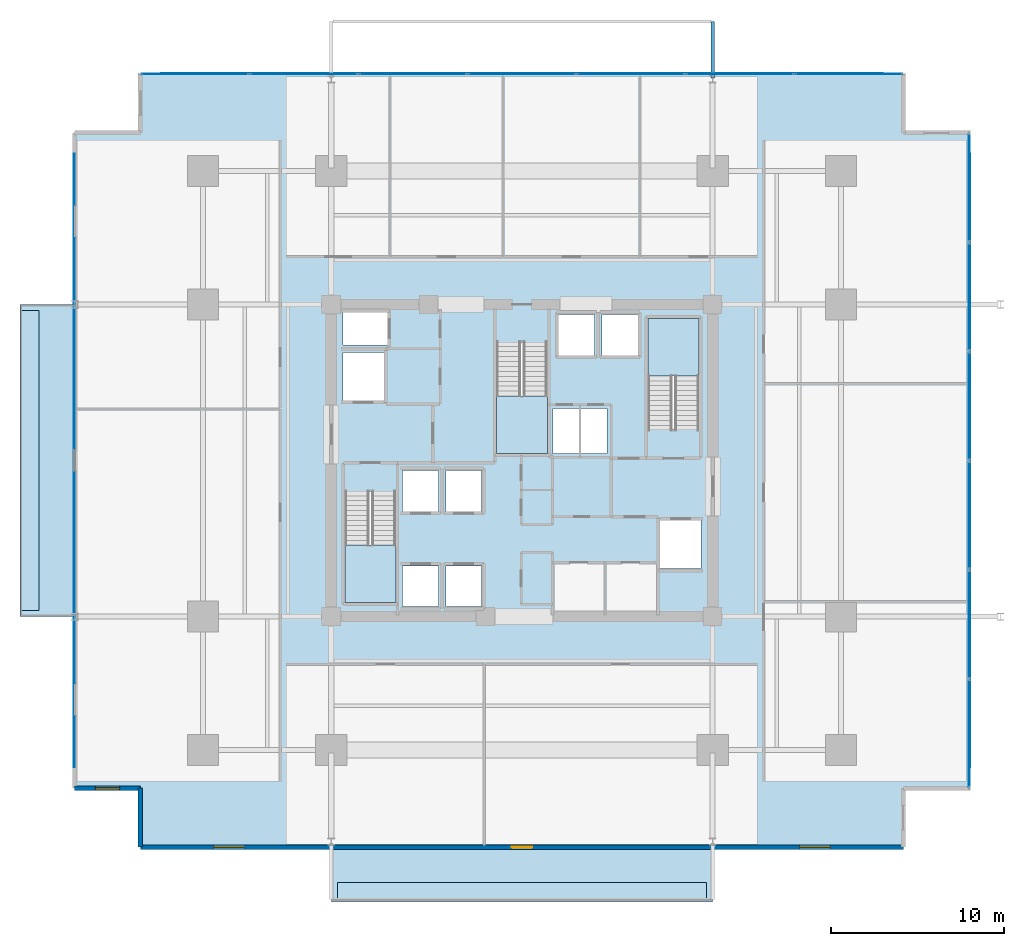
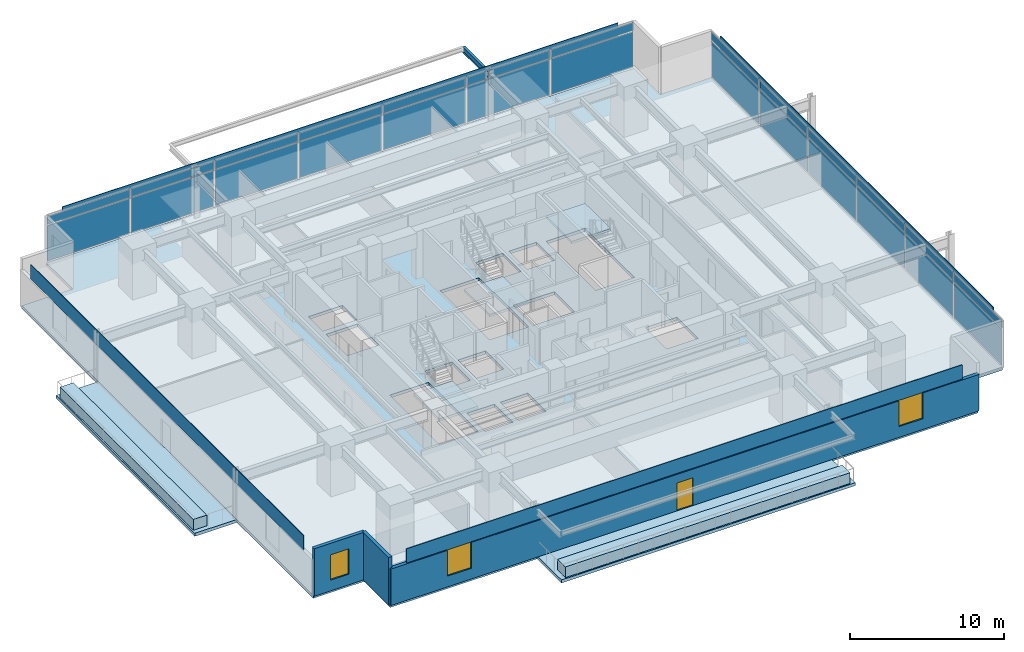
# One storey, part 13 of 22: 30 plates, 8 slabs, 3 walls, 3 windows, 1 beam, 1 door, 4 openings, 5 elements without a shape of their own.
"""IFC4 building model written with IfcOpenShell, lengths in metres."""

from ifc_helpers import new_model, si_unit, direction, frame, frame_2d, origin, origin_2d, place, context, subcontext, project, spatial, polyline, rectangle, i_section, outline, extrude, material, layer, layer_set, material_profile, profile_set, type_object, element, fill, aggregate, save


model = new_model("IFC4")

# Units and contexts
model_context = context("Model", 3, precision=1e-05, world=origin(), true_north=direction((0.0, 1.0)))
body_context = subcontext(model_context, "Body", "Model", "MODEL_VIEW")
ifc_project = project(units=[si_unit("LENGTHUNIT", "METRE"), si_unit("AREAUNIT", "SQUARE_METRE"), si_unit("VOLUMEUNIT", "CUBIC_METRE"), si_unit("PLANEANGLEUNIT", "RADIAN"), si_unit("MASSUNIT", "GRAM", prefix="KILO")], contexts=[model_context])

# Site, building, storey
site_placement = place(None, origin())
site = spatial("IfcSite", under=ifc_project, at=site_placement, CompositionType="ELEMENT")
building_placement = place(site_placement, origin())
building = spatial("IfcBuilding", under=site, at=building_placement, Name="Kovane Verandah Tower", CompositionType="ELEMENT")
storey_placement = place(building_placement, frame((0.0, 0.0, 59.60009765625)))
storey = spatial("IfcBuildingStorey", under=building, at=storey_placement, Name="L13", CompositionType="ELEMENT", Elevation=59.60009765625)

# Beam
ifc_material_1 = material(Name="Steel S355", Category="steel")
ifc_material_profile = material_profile(ifc_material_1, i_section(OverallWidth=0.19287109375, OverallDepth=0.46728515625, WebThickness=0.011474609375, FlangeThickness=0.01953125, FilletRadius=0.01025390625, at=origin_2d()), Name="UB457x191x98")
ifc_profile_set = profile_set([ifc_material_profile], Name="Steel S355")
beam_type = type_object("IfcBeamType", Name="JST-UB457x98", PredefinedType="JOIST", material=ifc_profile_set)
beam_placement = place(storey_placement, frame((51.0, 49.580078125, 3.5263671875), z_axis=(0.0, 1.0, 0.0), x_axis=(-1.0, 0.0, 0.0)))
element("IfcBeam", 1, at=beam_placement, inside=storey, type_object=beam_type, Name="L13 North Planter Girder 2", PredefinedType="JOIST", context=body_context, shape_type="SweptSolid", body=[
    extrude(i_section(OverallWidth=0.19287109375, OverallDepth=0.46728515625, WebThickness=0.011474609375, FlangeThickness=0.01953125, FilletRadius=0.01025390625, at=origin_2d()), origin(), (0.0, 0.0, 1.0), 3.244873046875),
])

# Curtain wall, plates
ifc_material_2 = material(Name="Champagne Anodised Aluminium Frame with Low-E Clear Laminated Glass", Category="aluminium")
curtain_wall_type = type_object("IfcCurtainWallType", Name="CW-SYS-02-LOW", PredefinedType="NOTDEFINED", material=ifc_material_2)
curtain_wall_1_placement = place(storey_placement, origin())
curtain_wall_1 = element("IfcCurtainWall", 2, at=curtain_wall_1_placement, inside=storey, type_object=curtain_wall_type, Name="L13 E Unitised Curtain Wall", PredefinedType="NOTDEFINED")
ifc_material_3 = material(Name="Pale Champagne Anodised Aluminium Insulated Spandrel", Category="aluminium")
ifc_layer_1 = layer(ifc_material_3, 0.0400390625)
ifc_layer_set_1 = layer_set([ifc_layer_1], Name="Pale Champagne Anodised Aluminium Insulated Spandrel")
plate_type_1 = type_object("IfcPlateType", Name="PL-CW-SPD-40", PredefinedType="SHEET", material=ifc_layer_set_1)
plate_1_placement = place(storey_placement, frame((65.80517578125, 11.7470703125, 3.02978515625), z_axis=(0.0, 0.0, 1.0), x_axis=(0.0, 1.0, 0.0)))
plate_1 = element("IfcPlate", 3, at=plate_1_placement, type_object=plate_type_1, Name="L13 E Unitised Curtain Wall Spandrel Panel 1", PredefinedType="SHEET", context=body_context, shape_type="SweptSolid", body=[
    extrude(rectangle(XDim=6.1611328125, YDim=0.0400390625, at=origin_2d()), origin(), (0.0, 0.0, 1.0), 0.639892578125),
])
plate_2_placement = place(storey_placement, frame((65.80517578125, 18.048095703125, 3.02978515625), z_axis=(0.0, 0.0, 1.0), x_axis=(0.0, 1.0, 0.0)))
plate_2 = element("IfcPlate", 4, at=plate_2_placement, type_object=plate_type_1, Name="L13 E Unitised Curtain Wall Spandrel Panel 2", PredefinedType="SHEET", context=body_context, shape_type="SweptSolid", body=[
    extrude(rectangle(XDim=6.1611328125, YDim=0.0400390625, at=origin_2d()), origin(), (0.0, 0.0, 1.0), 0.639892578125),
])
plate_3_placement = place(storey_placement, frame((65.80517578125, 24.349365234375, 3.02978515625), z_axis=(0.0, 0.0, 1.0), x_axis=(0.0, 1.0, 0.0)))
plate_3 = element("IfcPlate", 5, at=plate_3_placement, type_object=plate_type_1, Name="L13 E Unitised Curtain Wall Spandrel Panel 3", PredefinedType="SHEET", context=body_context, shape_type="SweptSolid", body=[
    extrude(rectangle(XDim=6.1611328125, YDim=0.0400390625, at=origin_2d()), origin(), (0.0, 0.0, 1.0), 0.639892578125),
])
plate_4_placement = place(storey_placement, frame((65.80517578125, 30.650634765625, 3.02978515625), z_axis=(0.0, 0.0, 1.0), x_axis=(0.0, 1.0, 0.0)))
plate_4 = element("IfcPlate", 6, at=plate_4_placement, type_object=plate_type_1, Name="L13 E Unitised Curtain Wall Spandrel Panel 4", PredefinedType="SHEET", context=body_context, shape_type="SweptSolid", body=[
    extrude(rectangle(XDim=6.1611328125, YDim=0.0400390625, at=origin_2d()), origin(), (0.0, 0.0, 1.0), 0.639892578125),
])
plate_5_placement = place(storey_placement, frame((65.80517578125, 36.951904296875, 3.02978515625), z_axis=(0.0, 0.0, 1.0), x_axis=(0.0, 1.0, 0.0)))
plate_5 = element("IfcPlate", 7, at=plate_5_placement, type_object=plate_type_1, Name="L13 E Unitised Curtain Wall Spandrel Panel 5", PredefinedType="SHEET", context=body_context, shape_type="SweptSolid", body=[
    extrude(rectangle(XDim=6.1611328125, YDim=0.0400390625, at=origin_2d()), origin(), (0.0, 0.0, 1.0), 0.639892578125),
])
plate_6_placement = place(storey_placement, frame((65.80517578125, 43.2529296875, 3.02978515625), z_axis=(0.0, 0.0, 1.0), x_axis=(0.0, 1.0, 0.0)))
plate_6 = element("IfcPlate", 8, at=plate_6_placement, type_object=plate_type_1, Name="L13 E Unitised Curtain Wall Spandrel Panel 6", PredefinedType="SHEET", context=body_context, shape_type="SweptSolid", body=[
    extrude(rectangle(XDim=6.1611328125, YDim=0.0400390625, at=origin_2d()), origin(), (0.0, 0.0, 1.0), 0.639892578125),
])

curtain_wall_2_placement = place(storey_placement, origin())
curtain_wall_2 = element("IfcCurtainWall", 9, at=curtain_wall_2_placement, inside=storey, type_object=curtain_wall_type, Name="L13 N Unitised Curtain Wall", PredefinedType="NOTDEFINED")
plate_7_placement = place(storey_placement, frame((58.861572265625, 49.8037109375, 3.02978515625), z_axis=(0.0, 0.0, 1.0), x_axis=(-1.0, 0.0, 0.0)))
plate_7 = element("IfcPlate", 10, at=plate_7_placement, type_object=plate_type_1, Name="L13 N Unitised Curtain Wall Spandrel Panel 1", PredefinedType="SHEET", context=body_context, shape_type="SweptSolid", body=[
    extrude(rectangle(XDim=6.147216796875, YDim=0.0400390625, at=origin_2d()), origin(), (0.0, 0.0, 1.0), 0.639892578125),
])
plate_8_placement = place(storey_placement, frame((52.574462890625, 49.8037109375, 3.02978515625), z_axis=(0.0, 0.0, 1.0), x_axis=(-1.0, 0.0, 0.0)))
plate_8 = element("IfcPlate", 11, at=plate_8_placement, type_object=plate_type_1, Name="L13 N Unitised Curtain Wall Spandrel Panel 2", PredefinedType="SHEET", context=body_context, shape_type="SweptSolid", body=[
    extrude(rectangle(XDim=6.147216796875, YDim=0.0400390625, at=origin_2d()), origin(), (0.0, 0.0, 1.0), 0.639892578125),
])
plate_9_placement = place(storey_placement, frame((46.287109375, 49.8037109375, 3.02978515625), z_axis=(0.0, 0.0, 1.0), x_axis=(-1.0, 0.0, 0.0)))
plate_9 = element("IfcPlate", 12, at=plate_9_placement, type_object=plate_type_1, Name="L13 N Unitised Curtain Wall Spandrel Panel 3", PredefinedType="SHEET", context=body_context, shape_type="SweptSolid", body=[
    extrude(rectangle(XDim=6.147216796875, YDim=0.0400390625, at=origin_2d()), origin(), (0.0, 0.0, 1.0), 0.639892578125),
])
plate_10_placement = place(storey_placement, frame((40.0, 49.8037109375, 3.02978515625), z_axis=(0.0, 0.0, 1.0), x_axis=(-1.0, 0.0, 0.0)))
plate_10 = element("IfcPlate", 13, at=plate_10_placement, type_object=plate_type_1, Name="L13 N Unitised Curtain Wall Spandrel Panel 4", PredefinedType="SHEET", context=body_context, shape_type="SweptSolid", body=[
    extrude(rectangle(XDim=6.147216796875, YDim=0.0400390625, at=origin_2d()), origin(), (0.0, 0.0, 1.0), 0.639892578125),
])
plate_11_placement = place(storey_placement, frame((33.712890625, 49.8037109375, 3.02978515625), z_axis=(0.0, 0.0, 1.0), x_axis=(-1.0, 0.0, 0.0)))
plate_11 = element("IfcPlate", 14, at=plate_11_placement, type_object=plate_type_1, Name="L13 N Unitised Curtain Wall Spandrel Panel 5", PredefinedType="SHEET", context=body_context, shape_type="SweptSolid", body=[
    extrude(rectangle(XDim=6.147216796875, YDim=0.0400390625, at=origin_2d()), origin(), (0.0, 0.0, 1.0), 0.639892578125),
])
plate_12_placement = place(storey_placement, frame((27.425537109375, 49.8037109375, 3.02978515625), z_axis=(0.0, 0.0, 1.0), x_axis=(-1.0, 0.0, 0.0)))
plate_12 = element("IfcPlate", 15, at=plate_12_placement, type_object=plate_type_1, Name="L13 N Unitised Curtain Wall Spandrel Panel 6", PredefinedType="SHEET", context=body_context, shape_type="SweptSolid", body=[
    extrude(rectangle(XDim=6.147216796875, YDim=0.0400390625, at=origin_2d()), origin(), (0.0, 0.0, 1.0), 0.639892578125),
])
plate_13_placement = place(storey_placement, frame((21.138427734375, 49.8037109375, 3.02978515625), z_axis=(0.0, 0.0, 1.0), x_axis=(-1.0, 0.0, 0.0)))
plate_13 = element("IfcPlate", 16, at=plate_13_placement, type_object=plate_type_1, Name="L13 N Unitised Curtain Wall Spandrel Panel 7", PredefinedType="SHEET", context=body_context, shape_type="SweptSolid", body=[
    extrude(rectangle(XDim=6.147216796875, YDim=0.0400390625, at=origin_2d()), origin(), (0.0, 0.0, 1.0), 0.639892578125),
])

# Plate
ifc_material_4 = material(Name="Clear Low-E Laminated Double Glazing", Category="glass")
ifc_layer_2 = layer(ifc_material_4, 0.031982421875)
ifc_layer_set_2 = layer_set([ifc_layer_2], Name="Clear Low-E Laminated Double Glazing")
plate_type_2 = type_object("IfcPlateType", Name="PL-CW-VIS-32", PredefinedType="CURTAIN_PANEL", material=ifc_layer_set_2)
plate_14_placement = place(storey_placement, frame((65.80517578125, 11.7470703125, 0.099853515625), z_axis=(0.0, 0.0, 1.0), x_axis=(0.0, 1.0, 0.0)))
plate_14 = element("IfcPlate", 17, at=plate_14_placement, type_object=plate_type_2, Name="L13 E Unitised Curtain Wall Vision Panel 1", PredefinedType="CURTAIN_PANEL", context=body_context, shape_type="SweptSolid", body=[
    extrude(rectangle(XDim=6.1611328125, YDim=0.031982421875, at=origin_2d()), origin(), (0.0, 0.0, 1.0), 2.830078125),
])

plate_15_placement = place(storey_placement, frame((65.80517578125, 18.048095703125, 0.099853515625), z_axis=(0.0, 0.0, 1.0), x_axis=(0.0, 1.0, 0.0)))
plate_15 = element("IfcPlate", 18, at=plate_15_placement, type_object=plate_type_2, Name="L13 E Unitised Curtain Wall Vision Panel 2", PredefinedType="CURTAIN_PANEL", context=body_context, shape_type="SweptSolid", body=[
    extrude(rectangle(XDim=6.1611328125, YDim=0.031982421875, at=origin_2d()), origin(), (0.0, 0.0, 1.0), 2.830078125),
])

plate_16_placement = place(storey_placement, frame((65.80517578125, 24.349365234375, 0.099853515625), z_axis=(0.0, 0.0, 1.0), x_axis=(0.0, 1.0, 0.0)))
plate_16 = element("IfcPlate", 19, at=plate_16_placement, type_object=plate_type_2, Name="L13 E Unitised Curtain Wall Vision Panel 3", PredefinedType="CURTAIN_PANEL", context=body_context, shape_type="SweptSolid", body=[
    extrude(rectangle(XDim=6.1611328125, YDim=0.031982421875, at=origin_2d()), origin(), (0.0, 0.0, 1.0), 2.830078125),
])

plate_17_placement = place(storey_placement, frame((65.80517578125, 30.650634765625, 0.099853515625), z_axis=(0.0, 0.0, 1.0), x_axis=(0.0, 1.0, 0.0)))
plate_17 = element("IfcPlate", 20, at=plate_17_placement, type_object=plate_type_2, Name="L13 E Unitised Curtain Wall Vision Panel 4", PredefinedType="CURTAIN_PANEL", context=body_context, shape_type="SweptSolid", body=[
    extrude(rectangle(XDim=6.1611328125, YDim=0.031982421875, at=origin_2d()), origin(), (0.0, 0.0, 1.0), 2.830078125),
])

plate_18_placement = place(storey_placement, frame((65.80517578125, 36.951904296875, 0.099853515625), z_axis=(0.0, 0.0, 1.0), x_axis=(0.0, 1.0, 0.0)))
plate_18 = element("IfcPlate", 21, at=plate_18_placement, type_object=plate_type_2, Name="L13 E Unitised Curtain Wall Vision Panel 5", PredefinedType="CURTAIN_PANEL", context=body_context, shape_type="SweptSolid", body=[
    extrude(rectangle(XDim=6.1611328125, YDim=0.031982421875, at=origin_2d()), origin(), (0.0, 0.0, 1.0), 2.830078125),
])

plate_19_placement = place(storey_placement, frame((65.80517578125, 43.2529296875, 0.099853515625), z_axis=(0.0, 0.0, 1.0), x_axis=(0.0, 1.0, 0.0)))
plate_19 = element("IfcPlate", 22, at=plate_19_placement, type_object=plate_type_2, Name="L13 E Unitised Curtain Wall Vision Panel 6", PredefinedType="CURTAIN_PANEL", context=body_context, shape_type="SweptSolid", body=[
    extrude(rectangle(XDim=6.1611328125, YDim=0.031982421875, at=origin_2d()), origin(), (0.0, 0.0, 1.0), 2.830078125),
])

aggregate(curtain_wall_1, [plate_14, plate_1, plate_15, plate_2, plate_16, plate_3, plate_17, plate_4, plate_18, plate_5, plate_19, plate_6])

plate_20_placement = place(storey_placement, frame((58.861572265625, 49.8037109375, 0.099853515625), z_axis=(0.0, 0.0, 1.0), x_axis=(-1.0, 0.0, 0.0)))
plate_20 = element("IfcPlate", 23, at=plate_20_placement, type_object=plate_type_2, Name="L13 N Unitised Curtain Wall Vision Panel 1", PredefinedType="CURTAIN_PANEL", context=body_context, shape_type="SweptSolid", body=[
    extrude(rectangle(XDim=6.147216796875, YDim=0.031982421875, at=origin_2d()), origin(), (0.0, 0.0, 1.0), 2.830078125),
])

plate_21_placement = place(storey_placement, frame((52.574462890625, 49.8037109375, 0.099853515625), z_axis=(0.0, 0.0, 1.0), x_axis=(-1.0, 0.0, 0.0)))
plate_21 = element("IfcPlate", 24, at=plate_21_placement, type_object=plate_type_2, Name="L13 N Unitised Curtain Wall Vision Panel 2", PredefinedType="CURTAIN_PANEL", context=body_context, shape_type="SweptSolid", body=[
    extrude(rectangle(XDim=6.147216796875, YDim=0.031982421875, at=origin_2d()), origin(), (0.0, 0.0, 1.0), 2.830078125),
])

plate_22_placement = place(storey_placement, frame((46.287109375, 49.8037109375, 0.099853515625), z_axis=(0.0, 0.0, 1.0), x_axis=(-1.0, 0.0, 0.0)))
plate_22 = element("IfcPlate", 25, at=plate_22_placement, type_object=plate_type_2, Name="L13 N Unitised Curtain Wall Vision Panel 3", PredefinedType="CURTAIN_PANEL", context=body_context, shape_type="SweptSolid", body=[
    extrude(rectangle(XDim=6.147216796875, YDim=0.031982421875, at=origin_2d()), origin(), (0.0, 0.0, 1.0), 2.830078125),
])

plate_23_placement = place(storey_placement, frame((40.0, 49.8037109375, 0.099853515625), z_axis=(0.0, 0.0, 1.0), x_axis=(-1.0, 0.0, 0.0)))
plate_23 = element("IfcPlate", 26, at=plate_23_placement, type_object=plate_type_2, Name="L13 N Unitised Curtain Wall Vision Panel 4", PredefinedType="CURTAIN_PANEL", context=body_context, shape_type="SweptSolid", body=[
    extrude(rectangle(XDim=6.147216796875, YDim=0.031982421875, at=origin_2d()), origin(), (0.0, 0.0, 1.0), 2.830078125),
])

plate_24_placement = place(storey_placement, frame((33.712890625, 49.8037109375, 0.099853515625), z_axis=(0.0, 0.0, 1.0), x_axis=(-1.0, 0.0, 0.0)))
plate_24 = element("IfcPlate", 27, at=plate_24_placement, type_object=plate_type_2, Name="L13 N Unitised Curtain Wall Vision Panel 5", PredefinedType="CURTAIN_PANEL", context=body_context, shape_type="SweptSolid", body=[
    extrude(rectangle(XDim=6.147216796875, YDim=0.031982421875, at=origin_2d()), origin(), (0.0, 0.0, 1.0), 2.830078125),
])

plate_25_placement = place(storey_placement, frame((27.425537109375, 49.8037109375, 0.099853515625), z_axis=(0.0, 0.0, 1.0), x_axis=(-1.0, 0.0, 0.0)))
plate_25 = element("IfcPlate", 28, at=plate_25_placement, type_object=plate_type_2, Name="L13 N Unitised Curtain Wall Vision Panel 6", PredefinedType="CURTAIN_PANEL", context=body_context, shape_type="SweptSolid", body=[
    extrude(rectangle(XDim=6.147216796875, YDim=0.031982421875, at=origin_2d()), origin(), (0.0, 0.0, 1.0), 2.830078125),
])

plate_26_placement = place(storey_placement, frame((21.138427734375, 49.8037109375, 0.099853515625), z_axis=(0.0, 0.0, 1.0), x_axis=(-1.0, 0.0, 0.0)))
plate_26 = element("IfcPlate", 29, at=plate_26_placement, type_object=plate_type_2, Name="L13 N Unitised Curtain Wall Vision Panel 7", PredefinedType="CURTAIN_PANEL", context=body_context, shape_type="SweptSolid", body=[
    extrude(rectangle(XDim=6.147216796875, YDim=0.031982421875, at=origin_2d()), origin(), (0.0, 0.0, 1.0), 2.830078125),
])

aggregate(curtain_wall_2, [plate_20, plate_7, plate_21, plate_8, plate_22, plate_9, plate_23, plate_10, plate_24, plate_11, plate_25, plate_12, plate_26, plate_13])

# Plates
ifc_material_5 = material(Name="Perforated Pale Champagne Anodised Aluminium Solar Screen", Category="aluminium")
ifc_layer_3 = layer(ifc_material_5, 0.050048828125)
ifc_layer_set_3 = layer_set([ifc_layer_3], Name="Perforated Pale Champagne Anodised Aluminium Solar Screen")
plate_type_3 = type_object("IfcPlateType", Name="PL-SCREEN-50", PredefinedType="USERDEFINED", material=ifc_layer_set_3)
plate_27_placement = place(storey_placement, frame((40.0, 5.181396484375, 2.85986328125), z_axis=(0.0, 0.0, 1.0), x_axis=(1.0, 0.0, 0.0)))
element("IfcPlate", 30, at=plate_27_placement, inside=storey, type_object=plate_type_3, Name="L13 S Perforated Champagne-Gold Solar Screen", ObjectType="SCREEN", PredefinedType="USERDEFINED", context=body_context, shape_type="SweptSolid", body=[
    extrude(rectangle(XDim=41.610107421875, YDim=0.050048828125, at=origin_2d()), origin(), (0.0, 0.0, 1.0), 1.14990234375),
])
plate_28_placement = place(storey_placement, frame((65.8203125, 27.5, 2.85986328125), z_axis=(0.0, 0.0, 1.0), x_axis=(0.0, 1.0, 0.0)))
element("IfcPlate", 31, at=plate_28_placement, inside=storey, type_object=plate_type_3, Name="L13 E Perforated Champagne-Gold Solar Screen", ObjectType="SCREEN", PredefinedType="USERDEFINED", context=body_context, shape_type="SweptSolid", body=[
    extrude(rectangle(XDim=35.406982421875, YDim=0.050048828125, at=origin_2d()), origin(), (0.0, 0.0, 1.0), 1.14990234375),
])
plate_29_placement = place(storey_placement, frame((40.0, 49.818603515625, 2.85986328125), z_axis=(0.0, 0.0, 1.0), x_axis=(-1.0, 0.0, 0.0)))
element("IfcPlate", 32, at=plate_29_placement, inside=storey, type_object=plate_type_3, Name="L13 N Perforated Champagne-Gold Solar Screen", ObjectType="SCREEN", PredefinedType="USERDEFINED", context=body_context, shape_type="SweptSolid", body=[
    extrude(rectangle(XDim=41.610107421875, YDim=0.050048828125, at=origin_2d()), origin(), (0.0, 0.0, 1.0), 1.14990234375),
])
plate_30_placement = place(storey_placement, frame((14.1796875, 27.5, 2.85986328125), z_axis=(0.0, 0.0, 1.0), x_axis=(0.0, -1.0, 0.0)))
element("IfcPlate", 33, at=plate_30_placement, inside=storey, type_object=plate_type_3, Name="L13 W Perforated Champagne-Gold Solar Screen", ObjectType="SCREEN", PredefinedType="USERDEFINED", context=body_context, shape_type="SweptSolid", body=[
    extrude(rectangle(XDim=35.406982421875, YDim=0.050048828125, at=origin_2d()), origin(), (0.0, 0.0, 1.0), 1.14990234375),
])

# Slabs
ifc_material_6 = material(Name="Concrete C45/55", Category="concrete")
ifc_layer_4 = layer(ifc_material_6, 0.239990234375)
ifc_layer_set_4 = layer_set([ifc_layer_4], Name="Concrete C45/55")
slab_type_1 = type_object("IfcSlabType", Name="SL-BALC-240", PredefinedType="FLOOR", material=ifc_layer_set_4)
slab_1_placement = place(storey_placement, frame((0.0, 0.0, -0.239990234375)))
element("IfcSlab", 34, at=slab_1_placement, inside=storey, type_object=slab_type_1, Name="L13 S Planted Verandah Balcony Slab", PredefinedType="FLOOR", context=body_context, shape_type="SweptSolid", body=[
    extrude(outline(polyline([(29.0, 2.04638671875), (51.0, 2.04638671875), (51.0, 5.1962890625), (29.0, 5.1962890625), (29.0, 2.04638671875)])), origin(), (0.0, 0.0, 1.0), 0.239990234375),
])
slab_2_placement = place(storey_placement, frame((0.0, 0.0, -0.239990234375)))
element("IfcSlab", 35, at=slab_2_placement, inside=storey, type_object=slab_type_1, Name="L13 W Planted Verandah Balcony Slab", PredefinedType="FLOOR", context=body_context, shape_type="SweptSolid", body=[
    extrude(outline(polyline([(11.044921875, 18.5), (14.19482421875, 18.5), (14.19482421875, 36.5), (11.044921875, 36.5), (11.044921875, 18.5)])), origin(), (0.0, 0.0, 1.0), 0.239990234375),
])

# Stair, slab
stair_type = type_object("IfcStairType", Name="ST-CORE-1380", PredefinedType="HALF_TURN_STAIR", material=ifc_material_6)
stair_1_placement = place(storey_placement, origin())
stair_1 = element("IfcStair", 36, at=stair_1_placement, inside=storey, type_object=stair_type, Name="L13 Exit Stair ST-01", PredefinedType="HALF_TURN_STAIR")
ifc_layer_5 = layer(ifc_material_6, 0.199951171875)
ifc_layer_set_5 = layer_set([ifc_layer_5], Name="Concrete C45/55")
slab_type_2 = type_object("IfcSlabType", Name="SL-LAND-200", PredefinedType="LANDING", material=ifc_layer_set_5)
slab_3_placement = place(storey_placement, frame((0.0, 0.0, 1.7998046875)))
slab_3 = element("IfcSlab", 37, at=slab_3_placement, type_object=slab_type_2, Name="ST-01 landing 1", PredefinedType="LANDING", context=body_context, shape_type="SweptSolid", body=[
    extrude(outline(polyline([(29.800048828125, 22.614990234375), (29.800048828125, 19.300048828125), (32.719970703125, 19.300048828125), (32.719970703125, 22.614990234375), (29.800048828125, 22.614990234375)])), origin(), (0.0, 0.0, 1.0), 0.2001953125),
])
aggregate(stair_1, [slab_3])

stair_2_placement = place(storey_placement, origin())
stair_2 = element("IfcStair", 38, at=stair_2_placement, inside=storey, type_object=stair_type, Name="L13 Exit Stair ST-02", PredefinedType="HALF_TURN_STAIR")
slab_4_placement = place(storey_placement, frame((0.0, 0.0, 1.7998046875)))
slab_4 = element("IfcSlab", 39, at=slab_4_placement, type_object=slab_type_2, Name="ST-02 landing 1", PredefinedType="LANDING", context=body_context, shape_type="SweptSolid", body=[
    extrude(outline(polyline([(50.199951171875, 32.385009765625), (50.199951171875, 35.699951171875), (47.280029296875, 35.699951171875), (47.280029296875, 32.385009765625), (50.199951171875, 32.385009765625)])), origin(), (0.0, 0.0, 1.0), 0.2001953125),
])
aggregate(stair_2, [slab_4])

stair_3_placement = place(storey_placement, origin())
stair_3 = element("IfcStair", 40, at=stair_3_placement, inside=storey, type_object=stair_type, Name="L13 Exit Stair ST-03", PredefinedType="HALF_TURN_STAIR")
slab_5_placement = place(storey_placement, frame((0.0, 0.0, 1.7998046875)))
slab_5 = element("IfcSlab", 41, at=slab_5_placement, type_object=slab_type_2, Name="ST-03 landing 1", PredefinedType="LANDING", context=body_context, shape_type="SweptSolid", body=[
    extrude(outline(polyline([(38.5400390625, 31.215087890625), (38.5400390625, 27.89990234375), (41.4599609375, 27.89990234375), (41.4599609375, 31.215087890625), (38.5400390625, 31.215087890625)])), origin(), (0.0, 0.0, 1.0), 0.2001953125),
])
aggregate(stair_3, [slab_5])

# Slabs
ifc_material_7 = material(Name="Architectural Precast Concrete C45/55 Planter Trough", Category="concrete")
ifc_layer_6 = layer(ifc_material_7, 0.219970703125)
ifc_layer_set_6 = layer_set([ifc_layer_6], Name="Architectural Precast Concrete C45/55 Planter Trough")
slab_type_3 = type_object("IfcSlabType", Name="SL-PLANTER-220", PredefinedType="USERDEFINED", material=ifc_layer_set_6)
slab_6_placement = place(storey_placement, origin())
element("IfcSlab", 42, at=slab_6_placement, inside=storey, type_object=slab_type_3, Name="L13 S Structural Tree Planter", ObjectType="PLANTER", PredefinedType="USERDEFINED", context=body_context, shape_type="SweptSolid", body=[
    extrude(outline(polyline([(29.35009765625, 2.146484375), (50.64990234375, 2.146484375), (50.64990234375, 3.146484375), (29.35009765625, 3.146484375), (29.35009765625, 2.146484375)])), origin(), (0.0, 0.0, 1.0), 0.849853515625),
])
slab_7_placement = place(storey_placement, origin())
element("IfcSlab", 43, at=slab_7_placement, inside=storey, type_object=slab_type_3, Name="L13 W Structural Tree Planter", ObjectType="PLANTER", PredefinedType="USERDEFINED", context=body_context, shape_type="SweptSolid", body=[
    extrude(outline(polyline([(11.144775390625, 18.85009765625), (12.144775390625, 18.85009765625), (12.144775390625, 36.14990234375), (11.144775390625, 36.14990234375), (11.144775390625, 18.85009765625)])), origin(), (0.0, 0.0, 1.0), 0.849853515625),
])
ifc_layer_7 = layer(ifc_material_6, 0.239990234375)
ifc_layer_set_7 = layer_set([ifc_layer_7], Name="Concrete C45/55")
slab_type_4 = type_object("IfcSlabType", Name="SL-TYP-240", PredefinedType="FLOOR", material=ifc_layer_set_7)
slab_8_placement = place(storey_placement, frame((0.0, 0.0, -0.239990234375)))
element("IfcSlab", 44, at=slab_8_placement, inside=storey, type_object=slab_type_4, Name="L13 Structural Floor Slab", PredefinedType="FLOOR", context=body_context, shape_type="SweptSolid", body=[
    extrude(outline(polyline([(17.994873046875, 5.1962890625), (62.005126953125, 5.1962890625), (62.005126953125, 8.596435546875), (65.80517578125, 8.596435546875), (65.80517578125, 46.403564453125), (62.005126953125, 46.403564453125), (62.005126953125, 49.8037109375), (17.994873046875, 49.8037109375), (17.994873046875, 46.403564453125), (14.19482421875, 46.403564453125), (14.19482421875, 8.596435546875), (17.994873046875, 8.596435546875), (17.994873046875, 5.1962890625)]), holes=[polyline([(29.800048828125, 19.300048828125), (32.719970703125, 19.300048828125), (32.719970703125, 25.705078125), (29.800048828125, 25.705078125), (29.800048828125, 19.300048828125)]), polyline([(47.280029296875, 29.294921875), (50.199951171875, 29.294921875), (50.199951171875, 35.699951171875), (47.280029296875, 35.699951171875), (47.280029296875, 29.294921875)]), polyline([(38.5400390625, 27.89990234375), (41.4599609375, 27.89990234375), (41.4599609375, 34.304931640625), (38.5400390625, 34.304931640625), (38.5400390625, 27.89990234375)]), polyline([(29.669921875, 30.969970703125), (32.030029296875, 30.969970703125), (32.030029296875, 33.72998046875), (29.669921875, 33.72998046875), (29.669921875, 30.969970703125)]), polyline([(47.969970703125, 21.27001953125), (50.330078125, 21.27001953125), (50.330078125, 24.030029296875), (47.969970703125, 24.030029296875), (47.969970703125, 21.27001953125)]), polyline([(29.669921875, 34.169921875), (32.22998046875, 34.169921875), (32.22998046875, 36.030029296875), (29.669921875, 36.030029296875), (29.669921875, 34.169921875)]), polyline([(33.1201171875, 19.070068359375), (35.179931640625, 19.070068359375), (35.179931640625, 21.429931640625), (33.1201171875, 21.429931640625), (33.1201171875, 19.070068359375)]), polyline([(35.6201171875, 19.070068359375), (37.679931640625, 19.070068359375), (37.679931640625, 21.429931640625), (35.6201171875, 21.429931640625), (35.6201171875, 19.070068359375)]), polyline([(33.1201171875, 24.570068359375), (35.179931640625, 24.570068359375), (35.179931640625, 26.929931640625), (33.1201171875, 26.929931640625), (33.1201171875, 24.570068359375)]), polyline([(35.6201171875, 24.570068359375), (37.679931640625, 24.570068359375), (37.679931640625, 26.929931640625), (35.6201171875, 26.929931640625), (35.6201171875, 24.570068359375)]), polyline([(42.1201171875, 33.570068359375), (44.179931640625, 33.570068359375), (44.179931640625, 35.929931640625), (42.1201171875, 35.929931640625), (42.1201171875, 33.570068359375)]), polyline([(44.6201171875, 33.570068359375), (46.679931640625, 33.570068359375), (46.679931640625, 35.929931640625), (44.6201171875, 35.929931640625), (44.6201171875, 33.570068359375)]), polyline([(41.800048828125, 27.89990234375), (44.89990234375, 27.89990234375), (44.89990234375, 30.5), (41.800048828125, 30.5), (41.800048828125, 27.89990234375)])]), origin(), (0.0, 0.0, 1.0), 0.239990234375),
])

# Wall, openings, door, windows
ifc_material_8 = material(Name="Concrete C45/55 Insulated Spandrel Wall", Category="concrete")
ifc_layer_8 = layer(ifc_material_8, 0.260009765625)
ifc_layer_set_8 = layer_set([ifc_layer_8], Name="Concrete C45/55 Insulated Spandrel Wall")
wall_type = type_object("IfcWallType", Name="WL-SPANDREL-260", PredefinedType="PARAPET", material=ifc_layer_set_8)
wall_1_placement = place(storey_placement, frame((17.994873046875, 5.1962890625, 0.0), z_axis=(0.0, 0.0, 1.0), x_axis=(1.0, 0.0, 0.0)))
wall_1 = element("IfcWall", 45, at=wall_1_placement, inside=storey, type_object=wall_type, Name="L13 S Verandah Access Facade Wall", PredefinedType="PARAPET", context=body_context, shape_type="SweptSolid", body=[
    extrude(rectangle(XDim=44.01025390625, YDim=0.260009765625, at=frame_2d((22.005126953125, 0.0))), origin(), (0.0, 0.0, 1.0), 2.88916015625),
])
opening_1_placement = place(wall_1_placement, frame((4.199951171875, 0.0, 0.85009765625)))
opening_1 = element("IfcOpeningElement", 46, at=opening_1_placement, cuts=wall_1, Name="Opening W-03", PredefinedType="OPENING", context=body_context, shape_type="SweptSolid", body=[
    extrude(rectangle(XDim=1.800048828125, YDim=2.199951171875, at=frame_2d((0.89990234375, 1.10009765625))), frame((0.0, 0.1298828125, 0.0), z_axis=(0.0, -1.0, 0.0), x_axis=(1.0, 0.0, 0.0)), (0.0, 0.0, 1.0), 0.260009765625),
])
opening_2_placement = place(wall_1_placement, frame((21.4052734375, 0.0, 0.0)))
opening_2 = element("IfcOpeningElement", 47, at=opening_2_placement, cuts=wall_1, Name="Opening DR-L13-001", PredefinedType="OPENING", context=body_context, shape_type="SweptSolid", body=[
    extrude(rectangle(XDim=1.199951171875, YDim=2.199951171875, at=frame_2d((0.60009765625, 1.10009765625))), frame((0.0, 0.1298828125, 0.0), z_axis=(0.0, -1.0, 0.0), x_axis=(1.0, 0.0, 0.0)), (0.0, 0.0, 1.0), 0.260009765625),
])
opening_3_placement = place(wall_1_placement, frame((38.010498046875, 0.0, 0.85009765625)))
opening_3 = element("IfcOpeningElement", 48, at=opening_3_placement, cuts=wall_1, Name="Opening W-03", PredefinedType="OPENING", context=body_context, shape_type="SweptSolid", body=[
    extrude(rectangle(XDim=1.800048828125, YDim=2.199951171875, at=frame_2d((0.89990234375, 1.10009765625))), frame((0.0, 0.1298828125, 0.0), z_axis=(0.0, -1.0, 0.0), x_axis=(1.0, 0.0, 0.0)), (0.0, 0.0, 1.0), 0.260009765625),
])
ifc_material_9 = material(Name="Cyclone-Rated Glazed Balcony Leaf Door", Category="aluminium")
door_type = type_object("IfcDoorType", Name="DR-BAL-1200x2200", OperationType="SINGLE_SWING_LEFT", PredefinedType="DOOR", material=ifc_material_9)
door_placement = place(opening_2_placement, origin())
door = element("IfcDoor", 49, at=door_placement, inside=storey, type_object=door_type, Name="L13 S Planted Balcony Access Door", OperationType="SINGLE_SWING_LEFT", OverallHeight=2.199951171875, OverallWidth=1.199951171875, PredefinedType="DOOR", context=body_context, shape_type="SweptSolid", body=[
    extrude(rectangle(XDim=1.199951171875, YDim=2.199951171875, at=frame_2d((0.60009765625, 1.10009765625))), frame((0.0, 0.02490234375, 0.0), z_axis=(0.0, -1.0, 0.0), x_axis=(1.0, 0.0, 0.0)), (0.0, 0.0, 1.0), 0.050048828125),
])
fill(opening_2, door)
ifc_material_10 = material(Name="Clear Low-E Laminated Double Glazing in Anodised Frame", Category="glass")
window_type_1 = type_object("IfcWindowType", Name="WN-NOTCH-1800x2200", PartitioningType="SINGLE_PANEL", PredefinedType="WINDOW", material=ifc_material_10)
window_1_placement = place(opening_1_placement, origin())
window_1 = element("IfcWindow", 50, at=window_1_placement, inside=storey, type_object=window_type_1, Name="L13 S Verandah View Window 1", OverallHeight=2.199951171875, OverallWidth=1.800048828125, PartitioningType="SINGLE_PANEL", PredefinedType="WINDOW", context=body_context, shape_type="SweptSolid", body=[
    extrude(rectangle(XDim=1.800048828125, YDim=2.199951171875, at=frame_2d((0.89990234375, 1.10009765625))), frame((0.0, 0.030029296875, 0.0), z_axis=(0.0, -1.0, 0.0), x_axis=(1.0, 0.0, 0.0)), (0.0, 0.0, 1.0), 0.06005859375),
])
fill(opening_1, window_1)
window_2_placement = place(opening_3_placement, origin())
window_2 = element("IfcWindow", 51, at=window_2_placement, inside=storey, type_object=window_type_1, Name="L13 S Verandah View Window 2", OverallHeight=2.199951171875, OverallWidth=1.800048828125, PartitioningType="SINGLE_PANEL", PredefinedType="WINDOW", context=body_context, shape_type="SweptSolid", body=[
    extrude(rectangle(XDim=1.800048828125, YDim=2.199951171875, at=frame_2d((0.89990234375, 1.10009765625))), frame((0.0, 0.030029296875, 0.0), z_axis=(0.0, -1.0, 0.0), x_axis=(1.0, 0.0, 0.0)), (0.0, 0.0, 1.0), 0.06005859375),
])
fill(opening_3, window_2)

# Wall, opening, window
wall_2_placement = place(storey_placement, frame((14.19482421875, 8.596435546875, 0.0), z_axis=(0.0, 0.0, 1.0), x_axis=(1.0, 0.0, 0.0)))
wall_2 = element("IfcWall", 52, at=wall_2_placement, inside=storey, type_object=wall_type, Name="L13 SW Notch Cheek Wall 1", PredefinedType="PARAPET", context=body_context, shape_type="SweptSolid", body=[
    extrude(rectangle(XDim=3.800048828125, YDim=0.260009765625, at=frame_2d((1.89990234375, 0.0))), origin(), (0.0, 0.0, 1.0), 3.760009765625),
])
opening_4_placement = place(wall_2_placement, frame((1.199951171875, 0.0, 0.85009765625)))
opening_4 = element("IfcOpeningElement", 53, at=opening_4_placement, cuts=wall_2, Name="Opening W-01", PredefinedType="OPENING", context=body_context, shape_type="SweptSolid", body=[
    extrude(rectangle(XDim=1.39990234375, YDim=2.0, at=frame_2d((0.699951171875, 1.0))), frame((0.0, 0.1298828125, 0.0), z_axis=(0.0, -1.0, 0.0), x_axis=(1.0, 0.0, 0.0)), (0.0, 0.0, 1.0), 0.260009765625),
])
window_type_2 = type_object("IfcWindowType", Name="WN-OPER-1400x2000", PartitioningType="SINGLE_PANEL", PredefinedType="WINDOW", material=ifc_material_10)
window_3_placement = place(opening_4_placement, origin())
window_3 = element("IfcWindow", 54, at=window_3_placement, inside=storey, type_object=window_type_2, Name="L13 SW Re-Entrant Corner Operable Window", OverallHeight=2.0, OverallWidth=1.39990234375, PartitioningType="SINGLE_PANEL", PredefinedType="WINDOW", context=body_context, shape_type="SweptSolid", body=[
    extrude(rectangle(XDim=1.39990234375, YDim=2.0, at=frame_2d((0.699951171875, 1.0))), frame((0.0, 0.030029296875, 0.0), z_axis=(0.0, -1.0, 0.0), x_axis=(1.0, 0.0, 0.0)), (0.0, 0.0, 1.0), 0.06005859375),
])
fill(opening_4, window_3)

# Wall
wall_3_placement = place(storey_placement, frame((17.994873046875, 8.596435546875, 0.0), z_axis=(0.0, 0.0, 1.0), x_axis=(0.0, -1.0, 0.0)))
element("IfcWall", 55, at=wall_3_placement, inside=storey, type_object=wall_type, Name="L13 SW Notch Cheek Wall 2", PredefinedType="PARAPET", context=body_context, shape_type="SweptSolid", body=[
    extrude(rectangle(XDim=3.400146484375, YDim=0.260009765625, at=frame_2d((1.7001953125, 0.0))), origin(), (0.0, 0.0, 1.0), 3.760009765625),
])

save(model, "model.ifc")
